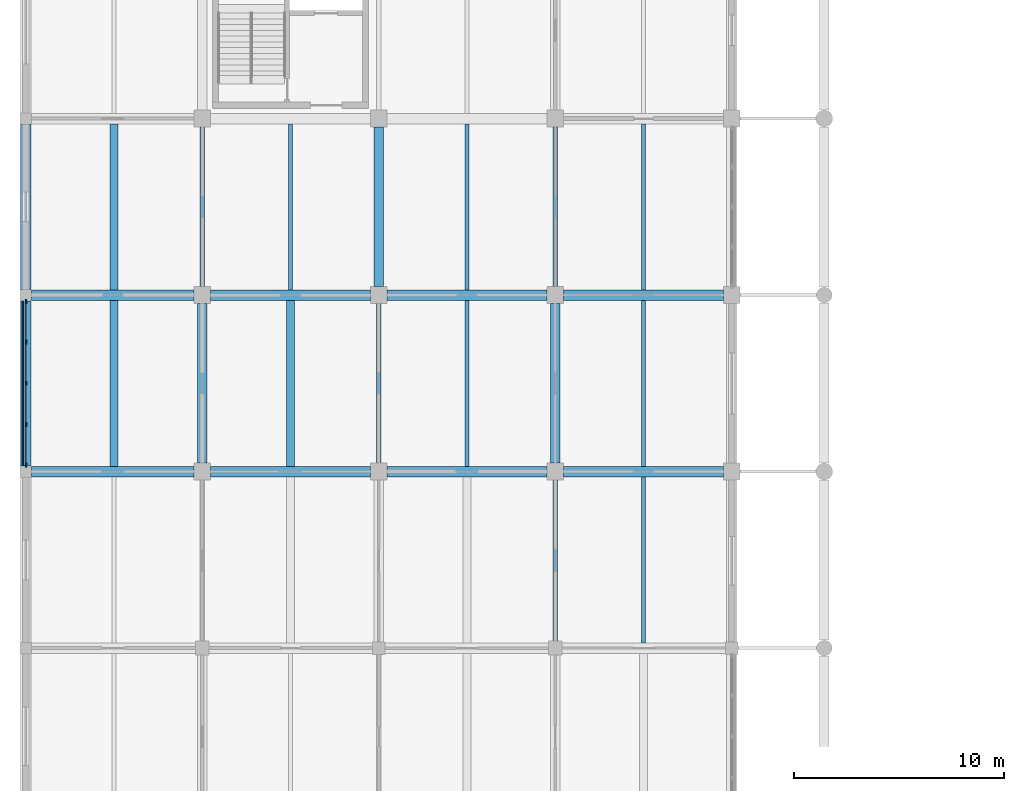
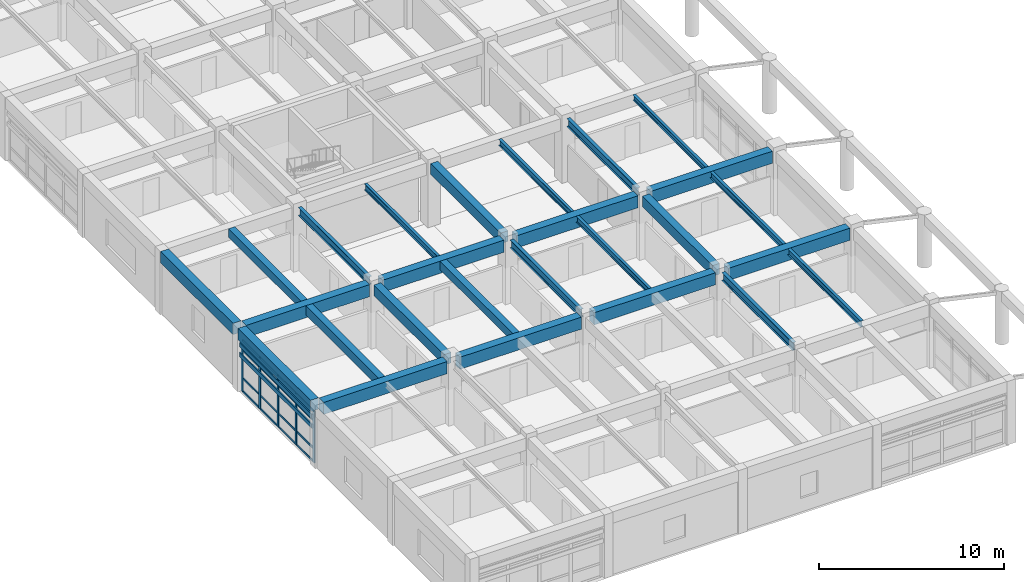
# One storey, part 4 of 99: 26 beams, 23 members, 1 element without a shape of its own.
"""IFC4 building model written with IfcOpenShell, lengths in metres."""

from ifc_helpers import new_model, si_unit, direction, frame, origin, origin_2d, place, context, subcontext, project, spatial, rectangle, i_section, extrude, material, layer, layer_set, material_profile, profile_set, type_object, element, aggregate, save


model = new_model("IFC4")

# Units and contexts
model_context = context("Model", 3, precision=1e-05, world=origin(), true_north=direction((0.0, 1.0)))
body_context = subcontext(model_context, "Body", "Model", "MODEL_VIEW")
ifc_project = project(units=[si_unit("LENGTHUNIT", "METRE"), si_unit("AREAUNIT", "SQUARE_METRE"), si_unit("VOLUMEUNIT", "CUBIC_METRE"), si_unit("PLANEANGLEUNIT", "RADIAN"), si_unit("MASSUNIT", "GRAM", prefix="KILO")], contexts=[model_context])

# Site, building, storey
site_placement = place(None, origin())
site = spatial("IfcSite", under=ifc_project, at=site_placement, CompositionType="ELEMENT")
building_placement = place(site_placement, origin())
building = spatial("IfcBuilding", under=site, at=building_placement, Name="Porcellanite Civic Hall", CompositionType="ELEMENT")
storey_placement = place(building_placement, frame((0.0, 0.0, 5.760009765625)))
storey = spatial("IfcBuildingStorey", under=building, at=storey_placement, Name="L01", CompositionType="ELEMENT", Elevation=5.760009765625)

# Beams
ifc_material_1 = material(Name="Concrete N50 (50 MPa)", Category="concrete")
ifc_material_profile_1 = material_profile(ifc_material_1, rectangle(XDim=0.39990234375, YDim=0.550048828125, at=origin_2d()), Name="RC-400x550")
ifc_profile_set_1 = profile_set([ifc_material_profile_1], Name="Concrete N50 (50 MPa)")
beam_type_1 = type_object("IfcBeamType", Name="BM-RC550", PredefinedType="JOIST", material=ifc_profile_set_1)
beam_1_placement = place(storey_placement, frame((4.199951171875, 25.449462890625, 3.925048828125), z_axis=(0.0, 1.0, 0.0), x_axis=(-1.0, 0.0, 0.0)))
element("IfcBeam", 1, at=beam_1_placement, inside=storey, type_object=beam_type_1, Name="Secondary joist L01 1-4", PredefinedType="JOIST", context=body_context, shape_type="SweptSolid", body=[
    extrude(rectangle(XDim=0.39990234375, YDim=0.550048828125, at=origin_2d()), origin(), (0.0, 0.0, 1.0), 7.901123046875),
])
beam_2_placement = place(storey_placement, frame((12.60009765625, 17.049560546875, 3.925048828125), z_axis=(0.0, 1.0, 0.0), x_axis=(-1.0, 0.0, 0.0)))
element("IfcBeam", 2, at=beam_2_placement, inside=storey, type_object=beam_type_1, Name="Secondary joist L01 2-3", PredefinedType="JOIST", context=body_context, shape_type="SweptSolid", body=[
    extrude(rectangle(XDim=0.39990234375, YDim=0.550048828125, at=origin_2d()), origin(), (0.0, 0.0, 1.0), 7.90087890625),
])
ifc_material_2 = material(Name="Concrete N50 (50 MPa)", Category="concrete")
ifc_material_profile_2 = material_profile(ifc_material_2, rectangle(XDim=0.39990234375, YDim=0.60009765625, at=origin_2d()), Name="RC-400x600")
ifc_profile_set_2 = profile_set([ifc_material_profile_2], Name="Concrete N50 (50 MPa)")
beam_type_2 = type_object("IfcBeamType", Name="BM-RC600", PredefinedType="JOIST", material=ifc_profile_set_2)
beam_3_placement = place(storey_placement, frame((4.199951171875, 17.049560546875, 3.89990234375), z_axis=(0.0, 1.0, 0.0), x_axis=(-1.0, 0.0, 0.0)))
element("IfcBeam", 3, at=beam_3_placement, inside=storey, type_object=beam_type_2, Name="Secondary joist L01 1-3", PredefinedType="JOIST", context=body_context, shape_type="SweptSolid", body=[
    extrude(rectangle(XDim=0.39990234375, YDim=0.60009765625, at=origin_2d()), origin(), (0.0, 0.0, 1.0), 7.90087890625),
])
ifc_material_3 = material(Name="Concrete N50 (50 MPa)", Category="concrete")
ifc_material_profile_3 = material_profile(ifc_material_3, rectangle(XDim=0.449951171875, YDim=0.699951171875, at=origin_2d()), Name="RC-450x700")
ifc_profile_set_3 = profile_set([ifc_material_profile_3], Name="Concrete N50 (50 MPa)")
beam_type_3 = type_object("IfcBeamType", Name="BM-RC700", PredefinedType="BEAM", material=ifc_profile_set_3)
beam_4_placement = place(storey_placement, frame((8.39990234375, 17.199462890625, 3.85009765625), z_axis=(0.0, 1.0, 0.0), x_axis=(-1.0, 0.0, 0.0)))
element("IfcBeam", 4, at=beam_4_placement, inside=storey, type_object=beam_type_3, Name="Beam Y L01 2-3", PredefinedType="BEAM", context=body_context, shape_type="SweptSolid", body=[
    extrude(rectangle(XDim=0.449951171875, YDim=0.699951171875, at=origin_2d()), origin(), (0.0, 0.0, 1.0), 7.60107421875),
])
beam_5_placement = place(storey_placement, frame((16.800048828125, 25.599609375, 3.85009765625), z_axis=(0.0, 1.0, 0.0), x_axis=(-1.0, 0.0, 0.0)))
element("IfcBeam", 5, at=beam_5_placement, inside=storey, type_object=beam_type_3, Name="Beam Y L01 3-4", PredefinedType="BEAM", context=body_context, shape_type="SweptSolid", body=[
    extrude(rectangle(XDim=0.449951171875, YDim=0.699951171875, at=origin_2d()), origin(), (0.0, 0.0, 1.0), 7.600830078125),
])
beam_6_placement = place(storey_placement, frame((25.199951171875, 17.199462890625, 3.85009765625), z_axis=(0.0, 1.0, 0.0), x_axis=(-1.0, 0.0, 0.0)))
element("IfcBeam", 6, at=beam_6_placement, inside=storey, type_object=beam_type_3, Name="Beam Y L01 4-3", PredefinedType="BEAM", context=body_context, shape_type="SweptSolid", body=[
    extrude(rectangle(XDim=0.449951171875, YDim=0.699951171875, at=origin_2d()), origin(), (0.0, 0.0, 1.0), 7.60107421875),
])
ifc_material_4 = material(Name="Concrete N50 (50 MPa)", Category="concrete")
ifc_material_profile_4 = material_profile(ifc_material_4, rectangle(XDim=0.5, YDim=0.75, at=origin_2d()), Name="RC-500x750")
ifc_profile_set_4 = profile_set([ifc_material_profile_4], Name="Concrete N50 (50 MPa)")
beam_type_4 = type_object("IfcBeamType", Name="BM-RC750", PredefinedType="SPANDREL", material=ifc_profile_set_4)
beam_7_placement = place(storey_placement, frame((0.0, 17.074462890625, 3.824951171875), z_axis=(0.0, 1.0, 0.0), x_axis=(-1.0, 0.0, 0.0)))
element("IfcBeam", 7, at=beam_7_placement, inside=storey, type_object=beam_type_4, Name="Beam Y L01 1-3", PredefinedType="SPANDREL", context=body_context, shape_type="SweptSolid", body=[
    extrude(rectangle(XDim=0.5, YDim=0.75, at=origin_2d()), origin(), (0.0, 0.0, 1.0), 7.85107421875),
])
beam_8_placement = place(storey_placement, frame((0.0, 25.474609375, 3.824951171875), z_axis=(0.0, 1.0, 0.0), x_axis=(-1.0, 0.0, 0.0)))
element("IfcBeam", 8, at=beam_8_placement, inside=storey, type_object=beam_type_4, Name="Beam Y L01 1-4", PredefinedType="SPANDREL", context=body_context, shape_type="SweptSolid", body=[
    extrude(rectangle(XDim=0.5, YDim=0.75, at=origin_2d()), origin(), (0.0, 0.0, 1.0), 7.850830078125),
])
ifc_material_5 = material(Name="Concrete N50 (50 MPa)", Category="concrete")
ifc_material_profile_5 = material_profile(ifc_material_5, rectangle(XDim=0.5, YDim=0.800048828125, at=origin_2d()), Name="RC-500x800")
ifc_profile_set_5 = profile_set([ifc_material_profile_5], Name="Concrete N50 (50 MPa)")
beam_type_5 = type_object("IfcBeamType", Name="BM-RC800", PredefinedType="BEAM", material=ifc_profile_set_5)
for number, where, z_axis, x_axis, name in (
    (9, (0.2744140625, 16.800048828125, 3.800048828125), (1.0, 0.0, 0.0), (0.0, 1.0, 0.0), "Beam X L01 1-3"),
    (10, (0.2744140625, 25.199951171875, 3.800048828125), (1.0, 0.0, 0.0), (0.0, 1.0, 0.0), "Beam X L01 1-4"),
):
    element("IfcBeam", number, at=place(storey_placement, frame(where, z_axis=z_axis, x_axis=x_axis)), inside=storey, type_object=beam_type_5, Name=name, PredefinedType="BEAM", context=body_context, shape_type="SweptSolid", body=[
        extrude(rectangle(XDim=0.5, YDim=0.800048828125, at=origin_2d()), origin(), (0.0, 0.0, 1.0), 7.72607421875),
    ])
for number, where, z_axis, x_axis, name in (
    (11, (8.799560546875, 16.800048828125, 3.800048828125), (1.0, 0.0, 0.0), (0.0, 1.0, 0.0), "Beam X L01 2-3"),
    (12, (8.799560546875, 25.199951171875, 3.800048828125), (1.0, 0.0, 0.0), (0.0, 1.0, 0.0), "Beam X L01 2-4"),
):
    element("IfcBeam", number, at=place(storey_placement, frame(where, z_axis=z_axis, x_axis=x_axis)), inside=storey, type_object=beam_type_5, Name=name, PredefinedType="BEAM", context=body_context, shape_type="SweptSolid", body=[
        extrude(rectangle(XDim=0.5, YDim=0.800048828125, at=origin_2d()), origin(), (0.0, 0.0, 1.0), 7.600830078125),
    ])
for number, where, z_axis, x_axis, name in (
    (13, (17.199462890625, 16.800048828125, 3.800048828125), (1.0, 0.0, 0.0), (0.0, 1.0, 0.0), "Beam X L01 3-3"),
    (14, (17.199462890625, 25.199951171875, 3.800048828125), (1.0, 0.0, 0.0), (0.0, 1.0, 0.0), "Beam X L01 3-4"),
):
    element("IfcBeam", number, at=place(storey_placement, frame(where, z_axis=z_axis, x_axis=x_axis)), inside=storey, type_object=beam_type_5, Name=name, PredefinedType="BEAM", context=body_context, shape_type="SweptSolid", body=[
        extrude(rectangle(XDim=0.5, YDim=0.800048828125, at=origin_2d()), origin(), (0.0, 0.0, 1.0), 7.60107421875),
    ])
for number, where, z_axis, x_axis, name in (
    (15, (25.599609375, 16.800048828125, 3.800048828125), (1.0, 0.0, 0.0), (0.0, 1.0, 0.0), "Beam X L01 4-3"),
    (16, (25.599609375, 25.199951171875, 3.800048828125), (1.0, 0.0, 0.0), (0.0, 1.0, 0.0), "Beam X L01 4-4"),
):
    element("IfcBeam", number, at=place(storey_placement, frame(where, z_axis=z_axis, x_axis=x_axis)), inside=storey, type_object=beam_type_5, Name=name, PredefinedType="BEAM", context=body_context, shape_type="SweptSolid", body=[
        extrude(rectangle(XDim=0.5, YDim=0.800048828125, at=origin_2d()), origin(), (0.0, 0.0, 1.0), 7.600830078125),
    ])

# Curtain wall, members
ifc_material_6 = material(Name="Anodised aluminium and solar laminated glass", Category="aluminium")
ifc_layer = layer(ifc_material_6, 0.179931640625)
ifc_layer_set = layer_set([ifc_layer], Name="Anodised aluminium and solar laminated glass")
curtain_wall_type = type_object("IfcCurtainWallType", Name="CW-SYS05", PredefinedType="NOTDEFINED", material=ifc_layer_set)
curtain_wall_placement = place(storey_placement, origin())
curtain_wall = element("IfcCurtainWall", 17, at=curtain_wall_placement, inside=storey, type_object=curtain_wall_type, Name="Curtain wall CW-061", PredefinedType="NOTDEFINED")
ifc_material_7 = material(Name="Anodised aluminium 6063-T6", Category="aluminium")
ifc_material_profile_6 = material_profile(ifc_material_7, rectangle(XDim=0.070068359375, YDim=0.199951171875, at=origin_2d()), Name="AL-70x200")
ifc_profile_set_6 = profile_set([ifc_material_profile_6], Name="Anodised aluminium 6063-T6")
member_type_1 = type_object("IfcMemberType", Name="CWM-05", PredefinedType="MULLION", material=ifc_profile_set_6)
member_1_placement = place(storey_placement, frame((0.0, 17.111083984375, 0.0), z_axis=(0.0, 0.0, 1.0), x_axis=(-1.0, 0.0, 0.0)))
member_1 = element("IfcMember", 18, at=member_1_placement, type_object=member_type_1, Name="CW-061 mullion 1", PredefinedType="MULLION", context=body_context, shape_type="SweptSolid", body=[
    extrude(rectangle(XDim=0.070068359375, YDim=0.199951171875, at=origin_2d()), origin(), (0.0, 0.0, 1.0), 3.39990234375),
])
member_2_placement = place(storey_placement, frame((0.0, 19.0380859375, 0.0), z_axis=(0.0, 0.0, 1.0), x_axis=(-1.0, 0.0, 0.0)))
member_2 = element("IfcMember", 19, at=member_2_placement, type_object=member_type_1, Name="CW-061 mullion 2", PredefinedType="MULLION", context=body_context, shape_type="SweptSolid", body=[
    extrude(rectangle(XDim=0.070068359375, YDim=0.199951171875, at=origin_2d()), origin(), (0.0, 0.0, 1.0), 3.39990234375),
])
member_3_placement = place(storey_placement, frame((0.0, 21.0, 0.0), z_axis=(0.0, 0.0, 1.0), x_axis=(-1.0, 0.0, 0.0)))
member_3 = element("IfcMember", 20, at=member_3_placement, type_object=member_type_1, Name="CW-061 mullion 3", PredefinedType="MULLION", context=body_context, shape_type="SweptSolid", body=[
    extrude(rectangle(XDim=0.070068359375, YDim=0.199951171875, at=origin_2d()), origin(), (0.0, 0.0, 1.0), 3.39990234375),
])
member_4_placement = place(storey_placement, frame((0.0, 22.9619140625, 0.0), z_axis=(0.0, 0.0, 1.0), x_axis=(-1.0, 0.0, 0.0)))
member_4 = element("IfcMember", 21, at=member_4_placement, type_object=member_type_1, Name="CW-061 mullion 4", PredefinedType="MULLION", context=body_context, shape_type="SweptSolid", body=[
    extrude(rectangle(XDim=0.070068359375, YDim=0.199951171875, at=origin_2d()), origin(), (0.0, 0.0, 1.0), 3.39990234375),
])
member_5_placement = place(storey_placement, frame((0.0, 24.888916015625, 0.0), z_axis=(0.0, 0.0, 1.0), x_axis=(-1.0, 0.0, 0.0)))
member_5 = element("IfcMember", 22, at=member_5_placement, type_object=member_type_1, Name="CW-061 mullion 5", PredefinedType="MULLION", context=body_context, shape_type="SweptSolid", body=[
    extrude(rectangle(XDim=0.070068359375, YDim=0.199951171875, at=origin_2d()), origin(), (0.0, 0.0, 1.0), 3.39990234375),
])
ifc_material_8 = material(Name="Anodised aluminium 6063-T6", Category="aluminium")
ifc_material_profile_7 = material_profile(ifc_material_8, rectangle(XDim=0.06005859375, YDim=0.1298828125, at=origin_2d()), Name="AL-60x130")
ifc_profile_set_7 = profile_set([ifc_material_profile_7], Name="Anodised aluminium 6063-T6")
member_type_2 = type_object("IfcMemberType", Name="CWT-03", PredefinedType="USERDEFINED", material=ifc_profile_set_7)
member_6_placement = place(storey_placement, frame((0.0, 17.14599609375, 0.030029296875), z_axis=(0.0, 1.0, 0.0), x_axis=(-1.0, 0.0, 0.0)))
member_6 = element("IfcMember", 23, at=member_6_placement, type_object=member_type_2, Name="CW-061 transom 1.1", ObjectType="TRANSOM", PredefinedType="USERDEFINED", context=body_context, shape_type="SweptSolid", body=[
    extrude(rectangle(XDim=0.06005859375, YDim=0.1298828125, at=origin_2d()), origin(), (0.0, 0.0, 1.0), 1.85693359375),
])
member_7_placement = place(storey_placement, frame((0.0, 17.14599609375, 0.89990234375), z_axis=(0.0, 1.0, 0.0), x_axis=(-1.0, 0.0, 0.0)))
member_7 = element("IfcMember", 24, at=member_7_placement, type_object=member_type_2, Name="CW-061 transom 1.2", ObjectType="TRANSOM", PredefinedType="USERDEFINED", context=body_context, shape_type="SweptSolid", body=[
    extrude(rectangle(XDim=0.06005859375, YDim=0.1298828125, at=origin_2d()), origin(), (0.0, 0.0, 1.0), 1.85693359375),
])
member_8_placement = place(storey_placement, frame((0.0, 17.14599609375, 2.75), z_axis=(0.0, 1.0, 0.0), x_axis=(-1.0, 0.0, 0.0)))
member_8 = element("IfcMember", 25, at=member_8_placement, type_object=member_type_2, Name="CW-061 transom 1.3", ObjectType="TRANSOM", PredefinedType="USERDEFINED", context=body_context, shape_type="SweptSolid", body=[
    extrude(rectangle(XDim=0.06005859375, YDim=0.1298828125, at=origin_2d()), origin(), (0.0, 0.0, 1.0), 1.85693359375),
])
member_9_placement = place(storey_placement, frame((0.0, 17.14599609375, 3.369873046875), z_axis=(0.0, 1.0, 0.0), x_axis=(-1.0, 0.0, 0.0)))
member_9 = element("IfcMember", 26, at=member_9_placement, type_object=member_type_2, Name="CW-061 transom 1.4", ObjectType="TRANSOM", PredefinedType="USERDEFINED", context=body_context, shape_type="SweptSolid", body=[
    extrude(rectangle(XDim=0.06005859375, YDim=0.1298828125, at=origin_2d()), origin(), (0.0, 0.0, 1.0), 1.85693359375),
])
member_10_placement = place(storey_placement, frame((0.0, 19.072998046875, 0.030029296875), z_axis=(0.0, 1.0, 0.0), x_axis=(-1.0, 0.0, 0.0)))
member_10 = element("IfcMember", 27, at=member_10_placement, type_object=member_type_2, Name="CW-061 transom 2.1", ObjectType="TRANSOM", PredefinedType="USERDEFINED", context=body_context, shape_type="SweptSolid", body=[
    extrude(rectangle(XDim=0.06005859375, YDim=0.1298828125, at=origin_2d()), origin(), (0.0, 0.0, 1.0), 1.89208984375),
])
member_11_placement = place(storey_placement, frame((0.0, 19.072998046875, 0.89990234375), z_axis=(0.0, 1.0, 0.0), x_axis=(-1.0, 0.0, 0.0)))
member_11 = element("IfcMember", 28, at=member_11_placement, type_object=member_type_2, Name="CW-061 transom 2.2", ObjectType="TRANSOM", PredefinedType="USERDEFINED", context=body_context, shape_type="SweptSolid", body=[
    extrude(rectangle(XDim=0.06005859375, YDim=0.1298828125, at=origin_2d()), origin(), (0.0, 0.0, 1.0), 1.89208984375),
])
member_12_placement = place(storey_placement, frame((0.0, 19.072998046875, 2.75), z_axis=(0.0, 1.0, 0.0), x_axis=(-1.0, 0.0, 0.0)))
member_12 = element("IfcMember", 29, at=member_12_placement, type_object=member_type_2, Name="CW-061 transom 2.3", ObjectType="TRANSOM", PredefinedType="USERDEFINED", context=body_context, shape_type="SweptSolid", body=[
    extrude(rectangle(XDim=0.06005859375, YDim=0.1298828125, at=origin_2d()), origin(), (0.0, 0.0, 1.0), 1.89208984375),
])
member_13_placement = place(storey_placement, frame((0.0, 19.072998046875, 3.369873046875), z_axis=(0.0, 1.0, 0.0), x_axis=(-1.0, 0.0, 0.0)))
member_13 = element("IfcMember", 30, at=member_13_placement, type_object=member_type_2, Name="CW-061 transom 2.4", ObjectType="TRANSOM", PredefinedType="USERDEFINED", context=body_context, shape_type="SweptSolid", body=[
    extrude(rectangle(XDim=0.06005859375, YDim=0.1298828125, at=origin_2d()), origin(), (0.0, 0.0, 1.0), 1.89208984375),
])
member_14_placement = place(storey_placement, frame((0.0, 21.034912109375, 0.030029296875), z_axis=(0.0, 1.0, 0.0), x_axis=(-1.0, 0.0, 0.0)))
member_14 = element("IfcMember", 31, at=member_14_placement, type_object=member_type_2, Name="CW-061 transom 3.1", ObjectType="TRANSOM", PredefinedType="USERDEFINED", context=body_context, shape_type="SweptSolid", body=[
    extrude(rectangle(XDim=0.06005859375, YDim=0.1298828125, at=origin_2d()), origin(), (0.0, 0.0, 1.0), 1.89208984375),
])
member_15_placement = place(storey_placement, frame((0.0, 21.034912109375, 0.89990234375), z_axis=(0.0, 1.0, 0.0), x_axis=(-1.0, 0.0, 0.0)))
member_15 = element("IfcMember", 32, at=member_15_placement, type_object=member_type_2, Name="CW-061 transom 3.2", ObjectType="TRANSOM", PredefinedType="USERDEFINED", context=body_context, shape_type="SweptSolid", body=[
    extrude(rectangle(XDim=0.06005859375, YDim=0.1298828125, at=origin_2d()), origin(), (0.0, 0.0, 1.0), 1.89208984375),
])
member_16_placement = place(storey_placement, frame((0.0, 21.034912109375, 2.75), z_axis=(0.0, 1.0, 0.0), x_axis=(-1.0, 0.0, 0.0)))
member_16 = element("IfcMember", 33, at=member_16_placement, type_object=member_type_2, Name="CW-061 transom 3.3", ObjectType="TRANSOM", PredefinedType="USERDEFINED", context=body_context, shape_type="SweptSolid", body=[
    extrude(rectangle(XDim=0.06005859375, YDim=0.1298828125, at=origin_2d()), origin(), (0.0, 0.0, 1.0), 1.89208984375),
])
member_17_placement = place(storey_placement, frame((0.0, 21.034912109375, 3.369873046875), z_axis=(0.0, 1.0, 0.0), x_axis=(-1.0, 0.0, 0.0)))
member_17 = element("IfcMember", 34, at=member_17_placement, type_object=member_type_2, Name="CW-061 transom 3.4", ObjectType="TRANSOM", PredefinedType="USERDEFINED", context=body_context, shape_type="SweptSolid", body=[
    extrude(rectangle(XDim=0.06005859375, YDim=0.1298828125, at=origin_2d()), origin(), (0.0, 0.0, 1.0), 1.89208984375),
])
member_18_placement = place(storey_placement, frame((0.0, 22.9970703125, 0.030029296875), z_axis=(0.0, 1.0, 0.0), x_axis=(-1.0, 0.0, 0.0)))
member_18 = element("IfcMember", 35, at=member_18_placement, type_object=member_type_2, Name="CW-061 transom 4.1", ObjectType="TRANSOM", PredefinedType="USERDEFINED", context=body_context, shape_type="SweptSolid", body=[
    extrude(rectangle(XDim=0.06005859375, YDim=0.1298828125, at=origin_2d()), origin(), (0.0, 0.0, 1.0), 1.85693359375),
])
member_19_placement = place(storey_placement, frame((0.0, 22.9970703125, 0.89990234375), z_axis=(0.0, 1.0, 0.0), x_axis=(-1.0, 0.0, 0.0)))
member_19 = element("IfcMember", 36, at=member_19_placement, type_object=member_type_2, Name="CW-061 transom 4.2", ObjectType="TRANSOM", PredefinedType="USERDEFINED", context=body_context, shape_type="SweptSolid", body=[
    extrude(rectangle(XDim=0.06005859375, YDim=0.1298828125, at=origin_2d()), origin(), (0.0, 0.0, 1.0), 1.85693359375),
])
member_20_placement = place(storey_placement, frame((0.0, 22.9970703125, 2.75), z_axis=(0.0, 1.0, 0.0), x_axis=(-1.0, 0.0, 0.0)))
member_20 = element("IfcMember", 37, at=member_20_placement, type_object=member_type_2, Name="CW-061 transom 4.3", ObjectType="TRANSOM", PredefinedType="USERDEFINED", context=body_context, shape_type="SweptSolid", body=[
    extrude(rectangle(XDim=0.06005859375, YDim=0.1298828125, at=origin_2d()), origin(), (0.0, 0.0, 1.0), 1.85693359375),
])
member_21_placement = place(storey_placement, frame((0.0, 22.9970703125, 3.369873046875), z_axis=(0.0, 1.0, 0.0), x_axis=(-1.0, 0.0, 0.0)))
member_21 = element("IfcMember", 38, at=member_21_placement, type_object=member_type_2, Name="CW-061 transom 4.4", ObjectType="TRANSOM", PredefinedType="USERDEFINED", context=body_context, shape_type="SweptSolid", body=[
    extrude(rectangle(XDim=0.06005859375, YDim=0.1298828125, at=origin_2d()), origin(), (0.0, 0.0, 1.0), 1.85693359375),
])
aggregate(curtain_wall, [member_1, member_2, member_3, member_4, member_5, member_6, member_7, member_8, member_9, member_10, member_11, member_12, member_13, member_14, member_15, member_16, member_17, member_18, member_19, member_20, member_21])

# Beams
ifc_material_9 = material(Name="Steel Grade 350", Category="steel")
ifc_material_profile_8 = material_profile(ifc_material_9, i_section(OverallWidth=0.172119140625, OverallDepth=0.35888671875, WebThickness=0.008056640625, FlangeThickness=0.012939453125, FilletRadius=0.011474609375, at=origin_2d()), Name="360UB56.7")
ifc_profile_set_8 = profile_set([ifc_material_profile_8], Name="Steel Grade 350")
beam_type_6 = type_object("IfcBeamType", Name="JST-360UB57", PredefinedType="JOIST", material=ifc_profile_set_8)
beam_9_placement = place(storey_placement, frame((29.39990234375, 25.449462890625, 4.0205078125), z_axis=(0.0, 1.0, 0.0), x_axis=(-1.0, 0.0, 0.0)))
element("IfcBeam", 39, at=beam_9_placement, inside=storey, type_object=beam_type_6, Name="Secondary joist L01 4-4", PredefinedType="JOIST", context=body_context, shape_type="SweptSolid", body=[
    extrude(i_section(OverallWidth=0.172119140625, OverallDepth=0.35888671875, WebThickness=0.008056640625, FlangeThickness=0.012939453125, FilletRadius=0.011474609375, at=origin_2d()), origin(), (0.0, 0.0, 1.0), 7.901123046875),
])
ifc_material_10 = material(Name="Steel Grade 350", Category="steel")
ifc_material_profile_9 = material_profile(ifc_material_10, i_section(OverallWidth=0.177978515625, OverallDepth=0.403076171875, WebThickness=0.007568359375, FlangeThickness=0.010986328125, FilletRadius=0.011474609375, at=origin_2d()), Name="410UB53.7")
ifc_profile_set_9 = profile_set([ifc_material_profile_9], Name="Steel Grade 350")
beam_type_7 = type_object("IfcBeamType", Name="JST-410UB54", PredefinedType="JOIST", material=ifc_profile_set_9)
beam_10_placement = place(storey_placement, frame((21.0, 25.449462890625, 3.99853515625), z_axis=(0.0, 1.0, 0.0), x_axis=(-1.0, 0.0, 0.0)))
element("IfcBeam", 40, at=beam_10_placement, inside=storey, type_object=beam_type_7, Name="Secondary joist L01 3-4", PredefinedType="JOIST", context=body_context, shape_type="SweptSolid", body=[
    extrude(i_section(OverallWidth=0.177978515625, OverallDepth=0.403076171875, WebThickness=0.007568359375, FlangeThickness=0.010986328125, FilletRadius=0.011474609375, at=origin_2d()), origin(), (0.0, 0.0, 1.0), 7.901123046875),
])
beam_11_placement = place(storey_placement, frame((29.39990234375, 17.049560546875, 3.99853515625), z_axis=(0.0, 1.0, 0.0), x_axis=(-1.0, 0.0, 0.0)))
element("IfcBeam", 41, at=beam_11_placement, inside=storey, type_object=beam_type_7, Name="Secondary joist L01 4-3", PredefinedType="JOIST", context=body_context, shape_type="SweptSolid", body=[
    extrude(i_section(OverallWidth=0.177978515625, OverallDepth=0.403076171875, WebThickness=0.007568359375, FlangeThickness=0.010986328125, FilletRadius=0.011474609375, at=origin_2d()), origin(), (0.0, 0.0, 1.0), 7.90087890625),
])
ifc_material_11 = material(Name="Steel Grade 350", Category="steel")
ifc_material_profile_10 = material_profile(ifc_material_11, i_section(OverallWidth=0.177978515625, OverallDepth=0.406005859375, WebThickness=0.0078125, FlangeThickness=0.0126953125, FilletRadius=0.011474609375, at=origin_2d()), Name="410UB59.7")
ifc_profile_set_10 = profile_set([ifc_material_profile_10], Name="Steel Grade 350")
beam_type_8 = type_object("IfcBeamType", Name="JST-410UB60", PredefinedType="JOIST", material=ifc_profile_set_10)
beam_12_placement = place(storey_placement, frame((12.60009765625, 25.449462890625, 3.9970703125), z_axis=(0.0, 1.0, 0.0), x_axis=(-1.0, 0.0, 0.0)))
element("IfcBeam", 42, at=beam_12_placement, inside=storey, type_object=beam_type_8, Name="Secondary joist L01 2-4", PredefinedType="JOIST", context=body_context, shape_type="SweptSolid", body=[
    extrude(i_section(OverallWidth=0.177978515625, OverallDepth=0.406005859375, WebThickness=0.0078125, FlangeThickness=0.0126953125, FilletRadius=0.011474609375, at=origin_2d()), origin(), (0.0, 0.0, 1.0), 7.901123046875),
])
beam_13_placement = place(storey_placement, frame((21.0, 17.049560546875, 3.9970703125), z_axis=(0.0, 1.0, 0.0), x_axis=(-1.0, 0.0, 0.0)))
element("IfcBeam", 43, at=beam_13_placement, inside=storey, type_object=beam_type_8, Name="Secondary joist L01 3-3", PredefinedType="JOIST", context=body_context, shape_type="SweptSolid", body=[
    extrude(i_section(OverallWidth=0.177978515625, OverallDepth=0.406005859375, WebThickness=0.0078125, FlangeThickness=0.0126953125, FilletRadius=0.011474609375, at=origin_2d()), origin(), (0.0, 0.0, 1.0), 7.90087890625),
])
beam_14_placement = place(storey_placement, frame((29.39990234375, 8.6494140625, 3.9970703125), z_axis=(0.0, 1.0, 0.0), x_axis=(-1.0, 0.0, 0.0)))
element("IfcBeam", 44, at=beam_14_placement, inside=storey, type_object=beam_type_8, Name="Secondary joist L01 4-2", PredefinedType="JOIST", context=body_context, shape_type="SweptSolid", body=[
    extrude(i_section(OverallWidth=0.177978515625, OverallDepth=0.406005859375, WebThickness=0.0078125, FlangeThickness=0.0126953125, FilletRadius=0.011474609375, at=origin_2d()), origin(), (0.0, 0.0, 1.0), 7.901123046875),
])

# Members
ifc_material_12 = material(Name="Fluoropolymer bauxite-red aluminium 6063-T6", Category="aluminium")
ifc_material_profile_11 = material_profile(ifc_material_12, rectangle(XDim=0.070068359375, YDim=0.280029296875, at=origin_2d()), Name="AL-70x280")
ifc_profile_set_11 = profile_set([ifc_material_profile_11], Name="Fluoropolymer bauxite-red aluminium 6063-T6")
member_type_3 = type_object("IfcMemberType", Name="LV-BLD05", PredefinedType="USERDEFINED", material=ifc_profile_set_11)
for number, where, z_axis, x_axis, name in (
    (45, (-0.136962890625, 17.074462890625, 3.10009765625), (0.0, 1.0, 0.0), (-1.0, 0.0, 0.0), "Cyclone sunshade louvre L01 W 0-2 1"),
    (46, (-0.136962890625, 17.074462890625, 2.449951171875), (0.0, 1.0, 0.0), (-1.0, 0.0, 0.0), "Cyclone sunshade louvre L01 W 0-2 2"),
):
    element("IfcMember", number, at=place(storey_placement, frame(where, z_axis=z_axis, x_axis=x_axis)), inside=storey, type_object=member_type_3, Name=name, ObjectType="LOUVRE BLADE", PredefinedType="USERDEFINED", context=body_context, shape_type="SweptSolid", body=[
        extrude(rectangle(XDim=0.070068359375, YDim=0.280029296875, at=origin_2d()), origin(), (0.0, 0.0, 1.0), 7.85107421875),
    ])

# Beams
ifc_material_13 = material(Name="Steel Grade 350", Category="steel")
ifc_material_profile_12 = material_profile(ifc_material_13, i_section(OverallWidth=0.208984375, OverallDepth=0.528076171875, WebThickness=0.009521484375, FlangeThickness=0.01318359375, FilletRadius=0.013916015625, at=origin_2d()), Name="530UB82.0")
ifc_profile_set_12 = profile_set([ifc_material_profile_12], Name="Steel Grade 350")
beam_type_9 = type_object("IfcBeamType", Name="RAF-530UB82", PredefinedType="BEAM", material=ifc_profile_set_12)
beam_15_placement = place(storey_placement, frame((8.39990234375, 25.599609375, 3.93603515625), z_axis=(0.0, 1.0, 0.0), x_axis=(-1.0, 0.0, 0.0)))
element("IfcBeam", 47, at=beam_15_placement, inside=storey, type_object=beam_type_9, Name="Beam Y L01 2-4", PredefinedType="BEAM", context=body_context, shape_type="SweptSolid", body=[
    extrude(i_section(OverallWidth=0.208984375, OverallDepth=0.528076171875, WebThickness=0.009521484375, FlangeThickness=0.01318359375, FilletRadius=0.013916015625, at=origin_2d()), origin(), (0.0, 0.0, 1.0), 7.600830078125),
])
beam_16_placement = place(storey_placement, frame((16.800048828125, 17.199462890625, 3.93603515625), z_axis=(0.0, 1.0, 0.0), x_axis=(-1.0, 0.0, 0.0)))
element("IfcBeam", 48, at=beam_16_placement, inside=storey, type_object=beam_type_9, Name="Beam Y L01 3-3", PredefinedType="BEAM", context=body_context, shape_type="SweptSolid", body=[
    extrude(i_section(OverallWidth=0.208984375, OverallDepth=0.528076171875, WebThickness=0.009521484375, FlangeThickness=0.01318359375, FilletRadius=0.013916015625, at=origin_2d()), origin(), (0.0, 0.0, 1.0), 7.60107421875),
])
beam_17_placement = place(storey_placement, frame((25.199951171875, 8.724609375, 3.93603515625), z_axis=(0.0, 1.0, 0.0), x_axis=(-1.0, 0.0, 0.0)))
element("IfcBeam", 49, at=beam_17_placement, inside=storey, type_object=beam_type_9, Name="Beam Y L01 4-2", PredefinedType="BEAM", context=body_context, shape_type="SweptSolid", body=[
    extrude(i_section(OverallWidth=0.208984375, OverallDepth=0.528076171875, WebThickness=0.009521484375, FlangeThickness=0.01318359375, FilletRadius=0.013916015625, at=origin_2d()), origin(), (0.0, 0.0, 1.0), 7.67578125),
])
beam_18_placement = place(storey_placement, frame((25.199951171875, 25.599609375, 3.93603515625), z_axis=(0.0, 1.0, 0.0), x_axis=(-1.0, 0.0, 0.0)))
element("IfcBeam", 50, at=beam_18_placement, inside=storey, type_object=beam_type_9, Name="Beam Y L01 4-4", PredefinedType="BEAM", context=body_context, shape_type="SweptSolid", body=[
    extrude(i_section(OverallWidth=0.208984375, OverallDepth=0.528076171875, WebThickness=0.009521484375, FlangeThickness=0.01318359375, FilletRadius=0.013916015625, at=origin_2d()), origin(), (0.0, 0.0, 1.0), 7.600830078125),
])

save(model, "model.ifc")
